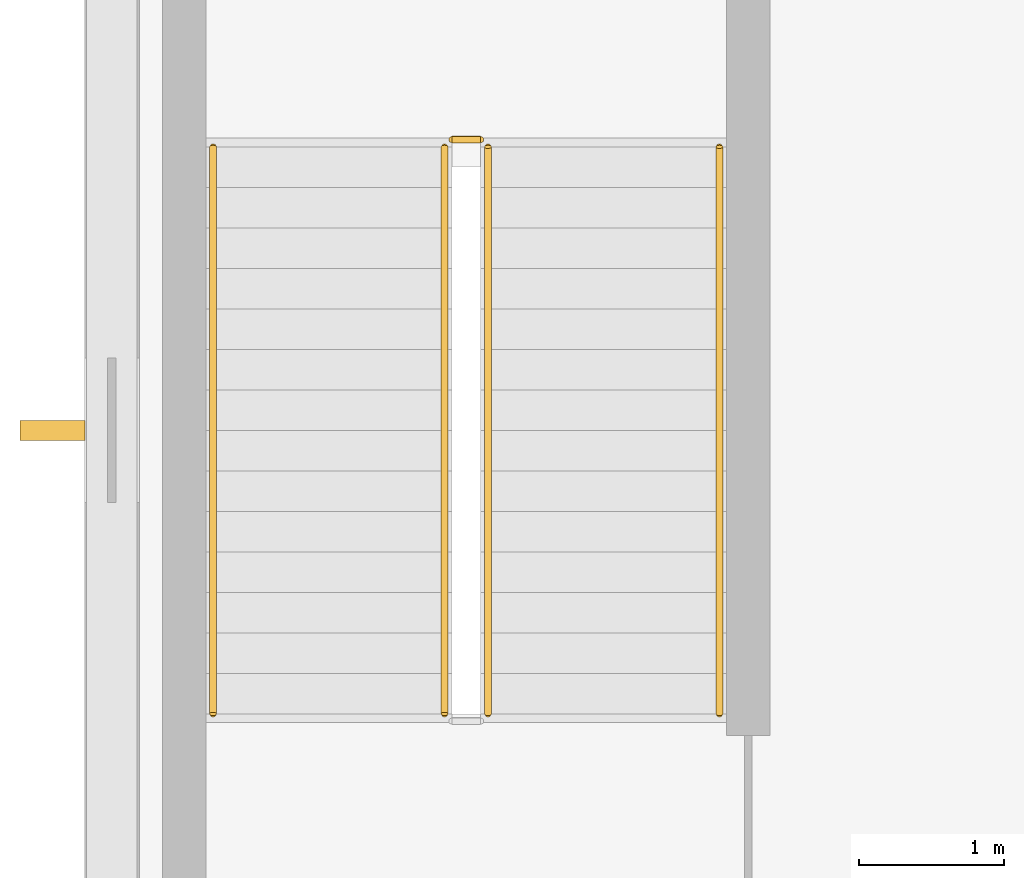
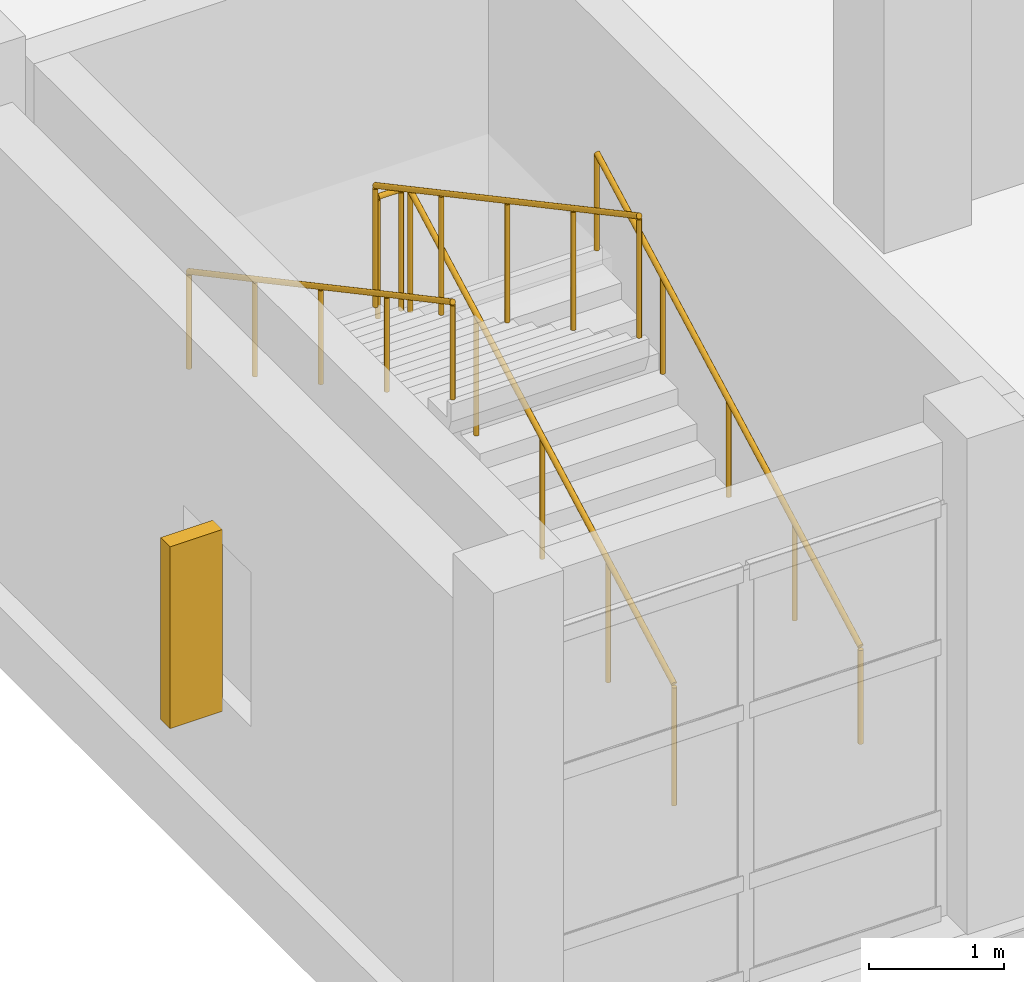
# One storey, part 167 of 183: 5 railings, 1 shading device.
"""IFC4 building model written with IfcOpenShell, lengths in metres."""

from ifc_helpers import new_model, si_unit, direction, frame, origin, origin_2d, place, context, subcontext, project, spatial, rectangle, circle, extrude, material, type_object, element, save


model = new_model("IFC4")

# Units and contexts
model_context = context("Model", 3, precision=1e-05, world=origin(), true_north=direction((0.0, 1.0)))
body_context = subcontext(model_context, "Body", "Model", "MODEL_VIEW")
ifc_project = project(units=[si_unit("LENGTHUNIT", "METRE"), si_unit("AREAUNIT", "SQUARE_METRE"), si_unit("VOLUMEUNIT", "CUBIC_METRE"), si_unit("PLANEANGLEUNIT", "RADIAN"), si_unit("MASSUNIT", "GRAM", prefix="KILO")], contexts=[model_context])

# Site, building, storey
site_placement = place(None, origin())
site = spatial("IfcSite", under=ifc_project, at=site_placement, CompositionType="ELEMENT")
building_placement = place(site_placement, origin())
building = spatial("IfcBuilding", under=site, at=building_placement, Name="Luwemba Playhouse", CompositionType="ELEMENT")
storey_placement = place(building_placement, frame((0.0, 0.0, 4.800048828125)))
storey = spatial("IfcBuildingStorey", under=building, at=storey_placement, Name="L01", CompositionType="ELEMENT", Elevation=4.800048828125)

# Railings
ifc_material_1 = material(Name="Painted wrought-iron gallery balustrade", Category="steel")
railing_type_1 = type_object("IfcRailingType", Name="RLG-BAL-INT", PredefinedType="BALUSTRADE", material=ifc_material_1)
railing_1_placement = place(storey_placement, frame((6.60009765625, 38.0400390625, 0.14990234375)))
element("IfcRailing", 1, at=railing_1_placement, inside=storey, type_object=railing_type_1, Name="L01 ST-01 stair guard 1", PredefinedType="BALUSTRADE", context=body_context, shape_type="SweptSolid", body=[
    extrude(circle(Radius=0.02392578125, at=origin_2d()), frame((0.0, 0.0, 1.09619140625), z_axis=(0.0, 0.881466911329, 0.472245787945), x_axis=(-1.0, 0.0, 0.0)), (0.0, 0.0, 1.0), 4.447021484375),
    extrude(circle(Radius=0.02099609375, at=origin_2d()), origin(), (0.0, 0.0, 1.0), 1.072021484375),
    extrude(circle(Radius=0.02099609375, at=origin_2d()), frame((0.0, 0.97998046875, 0.52490234375)), (0.0, 0.0, 1.0), 1.072021484375),
    extrude(circle(Radius=0.02099609375, at=origin_2d()), frame((0.0, 1.9599609375, 1.050048828125)), (0.0, 0.0, 1.0), 1.072021484375),
    extrude(circle(Radius=0.02099609375, at=origin_2d()), frame((0.0, 2.93994140625, 1.5751953125)), (0.0, 0.0, 1.0), 1.072021484375),
    extrude(circle(Radius=0.02099609375, at=origin_2d()), frame((0.0, 3.919921875, 2.10009765625)), (0.0, 0.0, 1.0), 1.072021484375),
])
railing_2_placement = place(storey_placement, frame((6.550048828125, 42.010009765625, 2.25)))
element("IfcRailing", 2, at=railing_2_placement, inside=storey, type_object=railing_type_1, Name="L01 ST-01 stair guard 2", PredefinedType="BALUSTRADE", context=body_context, shape_type="SweptSolid", body=[
    extrude(circle(Radius=0.02392578125, at=origin_2d()), frame((0.0, 0.0, 1.09619140625), z_axis=(-1.0, 0.0, 0.0), x_axis=(0.0, -1.0, 0.0)), (0.0, 0.0, 1.0), 0.199951171875),
    extrude(circle(Radius=0.02099609375, at=origin_2d()), origin(), (0.0, 0.0, 1.0), 1.072021484375),
    extrude(circle(Radius=0.02099609375, at=origin_2d()), frame((-0.199951171875, 0.0, 0.0)), (0.0, 0.0, 1.0), 1.072021484375),
])
railing_3_placement = place(storey_placement, frame((6.300048828125, 41.9599609375, 2.39990234375)))
element("IfcRailing", 3, at=railing_3_placement, inside=storey, type_object=railing_type_1, Name="L01 ST-01 stair guard 3", PredefinedType="BALUSTRADE", context=body_context, shape_type="SweptSolid", body=[
    extrude(circle(Radius=0.02392578125, at=origin_2d()), frame((0.0, 0.0, 1.09619140625), z_axis=(0.0, -0.881466911329, 0.472245787945), x_axis=(1.0, 0.0, 0.0)), (0.0, 0.0, 1.0), 4.447021484375),
    extrude(circle(Radius=0.02099609375, at=origin_2d()), origin(), (0.0, 0.0, 1.0), 1.072021484375),
    extrude(circle(Radius=0.02099609375, at=origin_2d()), frame((0.0, -0.97998046875, 0.52490234375)), (0.0, 0.0, 1.0), 1.072021484375),
    extrude(circle(Radius=0.02099609375, at=origin_2d()), frame((0.0, -1.9599609375, 1.050048828125)), (0.0, 0.0, 1.0), 1.072021484375),
    extrude(circle(Radius=0.02099609375, at=origin_2d()), frame((0.0, -2.93994140625, 1.5751953125)), (0.0, 0.0, 1.0), 1.072021484375),
    extrude(circle(Radius=0.02099609375, at=origin_2d()), frame((0.0, -3.919921875, 2.10009765625)), (0.0, 0.0, 1.0), 1.072021484375),
])
ifc_material_2 = material(Name="Hardwood and bronze handrail", Category="wood")
railing_type_2 = type_object("IfcRailingType", Name="RLG-HR-INT", PredefinedType="HANDRAIL", material=ifc_material_2)
railing_4_placement = place(storey_placement, frame((8.199951171875, 38.0400390625, 0.14990234375)))
element("IfcRailing", 4, at=railing_4_placement, inside=storey, type_object=railing_type_2, Name="L01 ST-01 stair handrail 1", PredefinedType="HANDRAIL", context=body_context, shape_type="SweptSolid", body=[
    extrude(circle(Radius=0.02392578125, at=origin_2d()), frame((0.0, 0.0, 0.8759765625), z_axis=(0.0, 0.881466911329, 0.472245787945), x_axis=(-1.0, 0.0, 0.0)), (0.0, 0.0, 1.0), 4.447021484375),
    extrude(circle(Radius=0.02099609375, at=origin_2d()), origin(), (0.0, 0.0, 1.0), 0.851806640625),
    extrude(circle(Radius=0.02099609375, at=origin_2d()), frame((0.0, 0.97998046875, 0.52490234375)), (0.0, 0.0, 1.0), 0.851806640625),
    extrude(circle(Radius=0.02099609375, at=origin_2d()), frame((0.0, 1.9599609375, 1.050048828125)), (0.0, 0.0, 1.0), 0.851806640625),
    extrude(circle(Radius=0.02099609375, at=origin_2d()), frame((0.0, 2.93994140625, 1.5751953125)), (0.0, 0.0, 1.0), 0.851806640625),
    extrude(circle(Radius=0.02099609375, at=origin_2d()), frame((0.0, 3.919921875, 2.10009765625)), (0.0, 0.0, 1.0), 0.851806640625),
])
railing_5_placement = place(storey_placement, frame((4.699951171875, 41.9599609375, 2.39990234375)))
element("IfcRailing", 5, at=railing_5_placement, inside=storey, type_object=railing_type_2, Name="L01 ST-01 stair handrail 2", PredefinedType="HANDRAIL", context=body_context, shape_type="SweptSolid", body=[
    extrude(circle(Radius=0.02392578125, at=origin_2d()), frame((0.0, 0.0, 0.8759765625), z_axis=(0.0, -0.881466911329, 0.472245787945), x_axis=(1.0, 0.0, 0.0)), (0.0, 0.0, 1.0), 4.447021484375),
    extrude(circle(Radius=0.02099609375, at=origin_2d()), origin(), (0.0, 0.0, 1.0), 0.851806640625),
    extrude(circle(Radius=0.02099609375, at=origin_2d()), frame((0.0, -0.97998046875, 0.52490234375)), (0.0, 0.0, 1.0), 0.851806640625),
    extrude(circle(Radius=0.02099609375, at=origin_2d()), frame((0.0, -1.9599609375, 1.050048828125)), (0.0, 0.0, 1.0), 0.851806640625),
    extrude(circle(Radius=0.02099609375, at=origin_2d()), frame((0.0, -2.93994140625, 1.5751953125)), (0.0, 0.0, 1.0), 0.851806640625),
    extrude(circle(Radius=0.02099609375, at=origin_2d()), frame((0.0, -3.919921875, 2.10009765625)), (0.0, 0.0, 1.0), 0.851806640625),
])

# Shading device
ifc_material_3 = material(Name="Extruded terracotta brise-soleil fin on steel bracket", Category="masonry")
shading_device_type = type_object("IfcShadingDeviceType", Name="SHD-BRISE", PredefinedType="USERDEFINED", material=ifc_material_3)
shading_device_placement = place(storey_placement, frame((3.590087890625, 40.0, 0.824951171875), z_axis=(0.0, 0.0, 1.0), x_axis=(0.0, 1.0, 0.0)))
element("IfcShadingDevice", 6, at=shading_device_placement, inside=storey, type_object=shading_device_type, Name="L01 terracotta brise-soleil fin 019", ObjectType="TERRACOTTA BRISE SOLEIL", PredefinedType="USERDEFINED", context=body_context, shape_type="SweptSolid", body=[
    extrude(rectangle(XDim=0.139892578125, YDim=0.449951171875, at=origin_2d()), origin(), (0.0, 0.0, 1.0), 1.64990234375),
])

save(model, "model.ifc")
